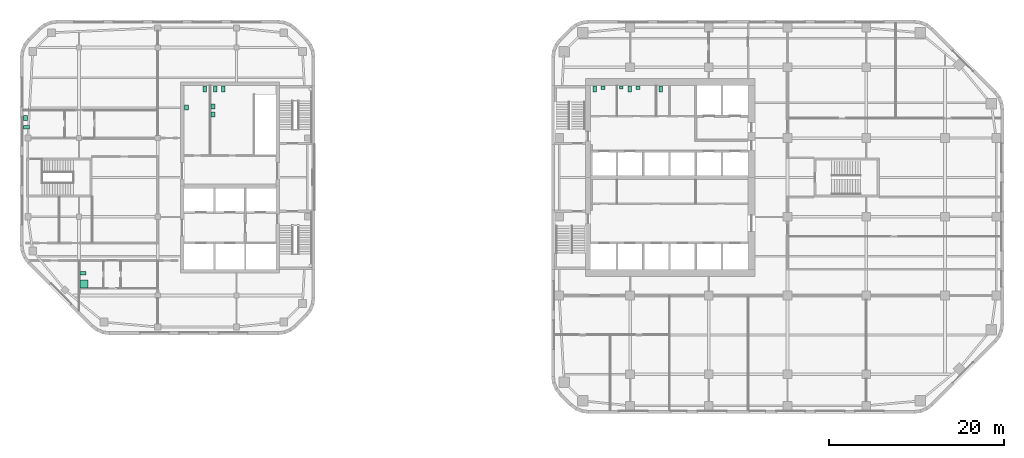
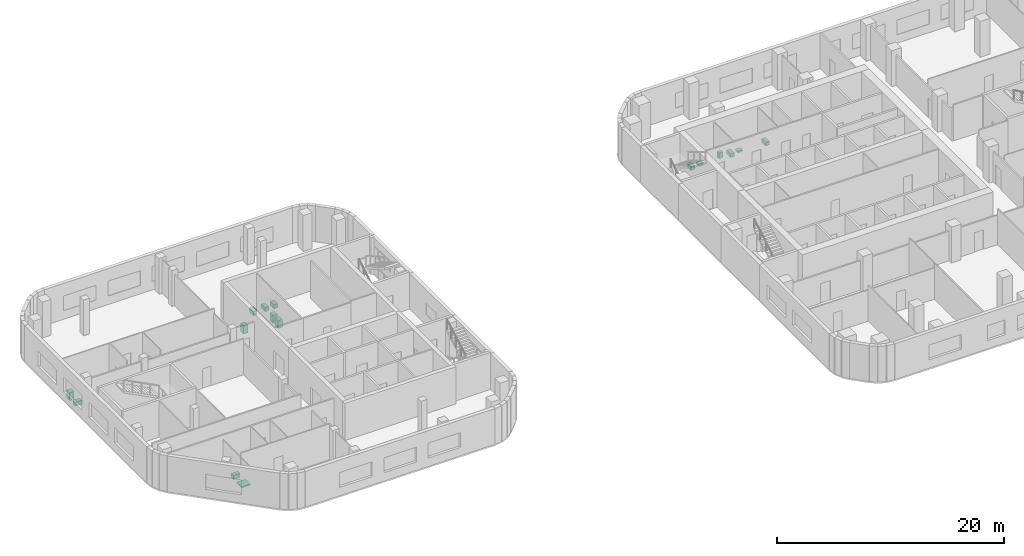
# One storey, part 14 of 14: 16 sanitary terminals.
"""IFC4 building model written with IfcOpenShell, lengths in metres."""

from ifc_helpers import new_model, si_unit, direction, frame, origin, origin_2d, place, context, subcontext, project, spatial, rectangle, extrude, material, type_object, element, save


model = new_model("IFC4")

# Units and contexts
model_context = context("Model", 3, precision=1e-05, world=origin(), true_north=direction((0.0, 1.0)))
body_context = subcontext(model_context, "Body", "Model", "MODEL_VIEW")
ifc_project = project(units=[si_unit("LENGTHUNIT", "METRE"), si_unit("AREAUNIT", "SQUARE_METRE"), si_unit("VOLUMEUNIT", "CUBIC_METRE"), si_unit("PLANEANGLEUNIT", "RADIAN"), si_unit("MASSUNIT", "GRAM", prefix="KILO")], contexts=[model_context])

# Site, building, storey
site_placement = place(None, origin())
site = spatial("IfcSite", under=ifc_project, at=site_placement, CompositionType="ELEMENT")
building_placement = place(site_placement, origin())
building = spatial("IfcBuilding", under=site, at=building_placement, Name="Cinnabar Reach Civic Tower", CompositionType="ELEMENT")
storey_placement = place(building_placement, frame((0.0, 0.0, 124.0)))
storey = spatial("IfcBuildingStorey", under=building, at=storey_placement, Name="L29", CompositionType="ELEMENT", Elevation=124.0)

# Sanitary terminals
ifc_material_1 = material(Name="Vitreous china")
sanitary_terminal_type_1 = type_object("IfcSanitaryTerminalType", Name="T1 WC pan", PredefinedType="TOILETPAN", material=ifc_material_1)
for number, where, z_axis, x_axis, name in (
    (1, (4.95, 41.6, 0.0), (0.0, 0.0, 1.0), (1.0, 0.0, 0.0), "T1 WC pan 2907-1"),
    (2, (8.95, 41.6, 0.0), (0.0, 0.0, 1.0), (1.0, 0.0, 0.0), "T1 WC pan 2908-2"),
    (3, (12.5, 41.6, 0.0), (0.0, 0.0, 1.0), (1.0, 0.0, 0.0), "T1 WC pan 2909-1"),
):
    element("IfcSanitaryTerminal", number, at=place(storey_placement, frame(where, z_axis=z_axis, x_axis=x_axis)), inside=storey, type_object=sanitary_terminal_type_1, Name=name, PredefinedType="TOILETPAN", context=body_context, shape_type="SweptSolid", body=[
        extrude(rectangle(XDim=0.4, YDim=0.7, at=origin_2d()), origin(), (0.0, 0.0, 1.0), 0.4),
    ])
sanitary_terminal_type_2 = type_object("IfcSanitaryTerminalType", Name="T1 urinal", PredefinedType="URINAL", material=ifc_material_1)
sanitary_terminal_1_placement = place(storey_placement, frame((8.0, 41.775, 0.0), z_axis=(0.0, 0.0, 1.0), x_axis=(1.0, 0.0, 0.0)))
element("IfcSanitaryTerminal", 4, at=sanitary_terminal_1_placement, inside=storey, type_object=sanitary_terminal_type_2, Name="T1 urinal 2908-1", PredefinedType="URINAL", context=body_context, shape_type="SweptSolid", body=[
    extrude(rectangle(XDim=0.4, YDim=0.35, at=origin_2d()), origin(), (0.0, 0.0, 1.0), 0.6),
])
sanitary_terminal_type_3 = type_object("IfcSanitaryTerminalType", Name="T1 wash basin", PredefinedType="WASHHANDBASIN", material=ifc_material_1)
for number, where, z_axis, x_axis, name in (
    (5, (5.9, 41.74, 0.0), (0.0, 0.0, 1.0), (1.0, 0.0, 0.0), "T1 wash basin 2907-2"),
    (6, (9.9, 41.74, 0.0), (0.0, 0.0, 1.0), (1.0, 0.0, 0.0), "T1 wash basin 2908-3"),
):
    element("IfcSanitaryTerminal", number, at=place(storey_placement, frame(where, z_axis=z_axis, x_axis=x_axis)), inside=storey, type_object=sanitary_terminal_type_3, Name=name, PredefinedType="WASHHANDBASIN", context=body_context, shape_type="SweptSolid", body=[
        extrude(rectangle(XDim=0.5, YDim=0.42, at=origin_2d()), origin(), (0.0, 0.0, 1.0), 0.2),
    ])
ifc_material_2 = material(Name="Acrylic tray")
sanitary_terminal_type_4 = type_object("IfcSanitaryTerminalType", Name="T2 Shower tray", PredefinedType="SHOWER", material=ifc_material_2)
sanitary_terminal_2_placement = place(storey_placement, frame((-53.45, 19.3, 0.0), z_axis=(0.0, 0.0, 1.0), x_axis=(1.0, 0.0, 0.0)))
element("IfcSanitaryTerminal", 7, at=sanitary_terminal_2_placement, inside=storey, type_object=sanitary_terminal_type_4, Name="Shower tray", PredefinedType="SHOWER", context=body_context, shape_type="SweptSolid", body=[
    extrude(rectangle(XDim=0.9, YDim=0.9, at=origin_2d()), origin(), (0.0, 0.0, 1.0), 0.1),
])
sanitary_terminal_type_5 = type_object("IfcSanitaryTerminalType", Name="T2 WC pan", PredefinedType="TOILETPAN", material=ifc_material_1)
for number, where, z_axis, x_axis, name in (
    (8, (-39.6, 41.6, 0.0), (0.0, 0.0, 1.0), (1.0, 0.0, 0.0), "WC pan"),
    (9, (-38.4, 41.6, 0.0), (0.0, 0.0, 1.0), (1.0, 0.0, 0.0), "WC pan"),
    (10, (-37.5, 41.6, 0.0), (0.0, 0.0, 1.0), (1.0, 0.0, 0.0), "WC pan"),
):
    element("IfcSanitaryTerminal", number, at=place(storey_placement, frame(where, z_axis=z_axis, x_axis=x_axis)), inside=storey, type_object=sanitary_terminal_type_5, Name=name, PredefinedType="TOILETPAN", context=body_context, shape_type="SweptSolid", body=[
        extrude(rectangle(XDim=0.4, YDim=0.7, at=origin_2d()), origin(), (0.0, 0.0, 1.0), 0.42),
    ])
for number, where, z_axis, x_axis, name in (
    (11, (-53.55, 20.55, 0.0), (0.0, 0.0, 1.0), (1.0, 0.0, 0.0), "WC pan"),
    (12, (-59.99, 37.25, 0.0), (0.0, 0.0, 1.0), (1.0, 0.0, 0.0), "WC pan"),
):
    element("IfcSanitaryTerminal", number, at=place(storey_placement, frame(where, z_axis=z_axis, x_axis=x_axis)), inside=storey, type_object=sanitary_terminal_type_5, Name=name, PredefinedType="TOILETPAN", context=body_context, shape_type="SweptSolid", body=[
        extrude(rectangle(XDim=0.7, YDim=0.4, at=origin_2d()), origin(), (0.0, 0.0, 1.0), 0.42),
    ])
sanitary_terminal_type_6 = type_object("IfcSanitaryTerminalType", Name="T2 Wash basin", PredefinedType="WASHHANDBASIN", material=ifc_material_1)
for number, where, z_axis, x_axis, name in (
    (13, (-41.725, 39.5, 0.0), (0.0, 0.0, 1.0), (1.0, 0.0, 0.0), "Wash basin"),
    (14, (-38.675, 39.6, 0.0), (0.0, 0.0, 1.0), (1.0, 0.0, 0.0), "Wash basin"),
    (15, (-38.675, 38.7, 0.0), (0.0, 0.0, 1.0), (1.0, 0.0, 0.0), "Wash basin"),
    (16, (-60.115, 38.3, 0.0), (0.0, 0.0, 1.0), (1.0, 0.0, 0.0), "Wash basin"),
):
    element("IfcSanitaryTerminal", number, at=place(storey_placement, frame(where, z_axis=z_axis, x_axis=x_axis)), inside=storey, type_object=sanitary_terminal_type_6, Name=name, PredefinedType="WASHHANDBASIN", context=body_context, shape_type="SweptSolid", body=[
        extrude(rectangle(XDim=0.45, YDim=0.55, at=origin_2d()), origin(), (0.0, 0.0, 1.0), 0.85),
    ])

save(model, "model.ifc")
